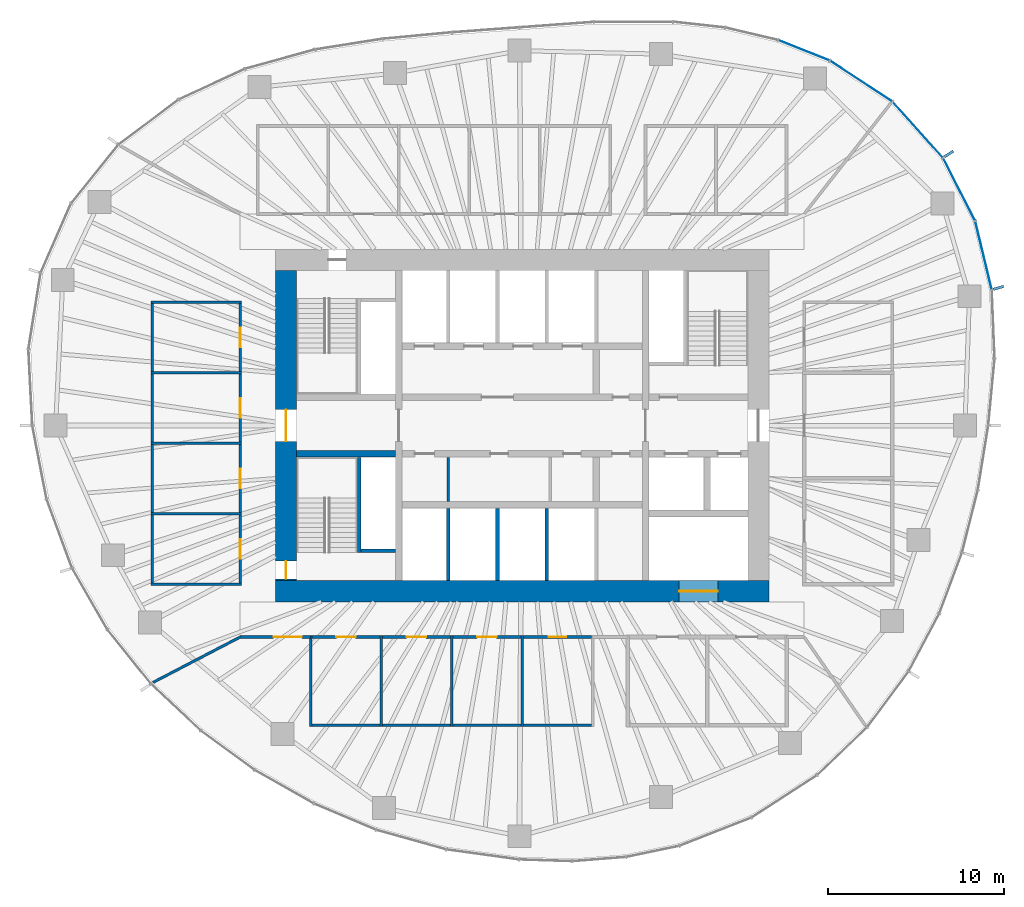
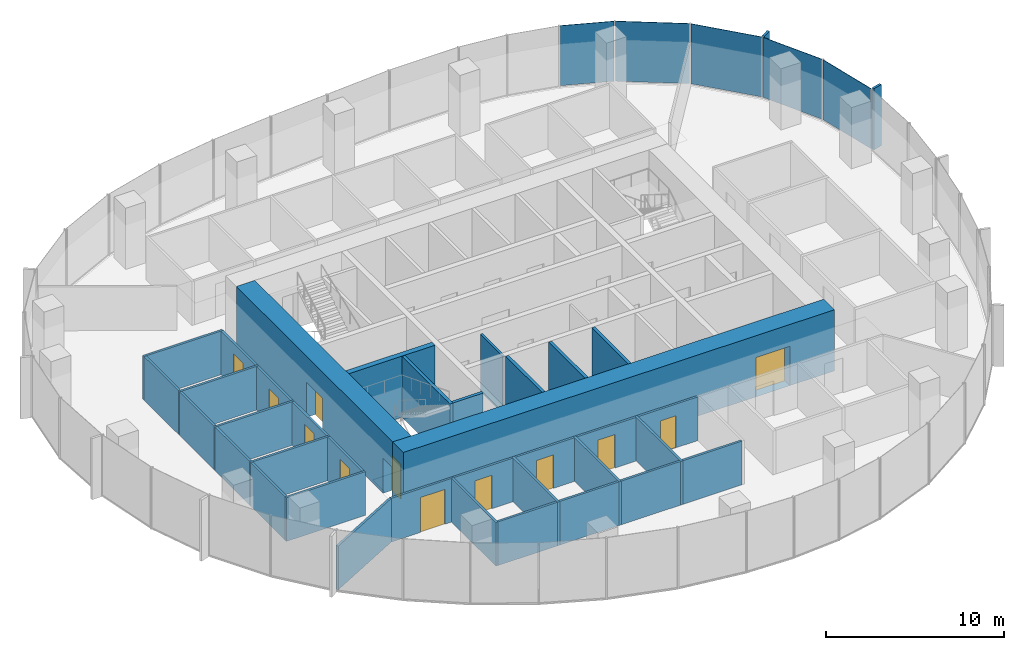
# One storey, part 8 of 12: 36 walls, 12 doors, 7 plates, 12 openings, 3 elements without a shape of their own.
"""IFC4 building model written with IfcOpenShell, lengths in metres."""

from ifc_helpers import new_model, si_unit, direction, frame, frame_2d, origin, origin_2d, place, context, subcontext, project, spatial, rectangle, extrude, material, layer, layer_set, type_object, element, fill, aggregate, save


model = new_model("IFC4")

# Units and contexts
model_context = context("Model", 3, precision=1e-05, world=origin(), true_north=direction((0.0, 1.0)))
body_context = subcontext(model_context, "Body", "Model", "MODEL_VIEW")
ifc_project = project(units=[si_unit("LENGTHUNIT", "METRE"), si_unit("AREAUNIT", "SQUARE_METRE"), si_unit("VOLUMEUNIT", "CUBIC_METRE"), si_unit("PLANEANGLEUNIT", "RADIAN"), si_unit("MASSUNIT", "GRAM", prefix="KILO")], contexts=[model_context])

# Site, building, storey
site_placement = place(None, origin())
site = spatial("IfcSite", under=ifc_project, at=site_placement, CompositionType="ELEMENT")
building_placement = place(site_placement, origin())
building = spatial("IfcBuilding", under=site, at=building_placement, Name="Ghaith Harvest Tower", CompositionType="ELEMENT")
storey_placement = place(building_placement, frame((0.0, 0.0, 207.39990234375)))
storey = spatial("IfcBuildingStorey", under=building, at=storey_placement, Name="L45", CompositionType="ELEMENT", Elevation=207.39990234375)

# Curtain wall, plates
ifc_material_1 = material(Name="Black anodised aluminium and fritted glass", Category="aluminium")
curtain_wall_type = type_object("IfcCurtainWallType", Name="CW-H CURTAIN WALL", PredefinedType="NOTDEFINED", material=ifc_material_1)
curtain_wall_1_placement = place(storey_placement, origin())
curtain_wall_1 = element("IfcCurtainWall", 1, at=curtain_wall_1_placement, inside=storey, type_object=curtain_wall_type, Name="Curtain wall CW-H bay 02 L45", PredefinedType="NOTDEFINED")
ifc_material_2 = material(Name="Glass, dark solar-control fritted double glazed unit", Category="glass")
ifc_layer_1 = layer(ifc_material_2, 0.030029296875)
ifc_layer_set_1 = layer_set([ifc_layer_1], Name="CW-H VISION PANEL")
plate_type_1 = type_object("IfcPlateType", Name="CW-H VISION PANEL", PredefinedType="CURTAIN_PANEL", material=ifc_layer_set_1)
plate_1_placement = place(storey_placement, frame((26.1767578125, 9.6533203125, 0.080078125), z_axis=(0.0, 0.0, 1.0), x_axis=(-0.233894000303, 0.972262102842, 0.0)))
plate_1 = element("IfcPlate", 2, at=plate_1_placement, type_object=plate_type_1, Name="CW-H glass unit 1 bay 02 L45", PredefinedType="CURTAIN_PANEL", context=body_context, shape_type="SweptSolid", body=[
    extrude(rectangle(XDim=3.935546875, YDim=0.030029296875, at=origin_2d()), origin(), (0.0, 0.0, 1.0), 4.1201171875),
])
plate_2_placement = place(storey_placement, frame((24.790771484375, 13.399658203125, 0.080078125), z_axis=(0.0, 0.0, 1.0), x_axis=(-0.454915320985, 0.890534699342, 0.0)))
plate_2 = element("IfcPlate", 3, at=plate_2_placement, type_object=plate_type_1, Name="CW-H glass unit 2 bay 02 L45", PredefinedType="CURTAIN_PANEL", context=body_context, shape_type="SweptSolid", body=[
    extrude(rectangle(XDim=3.949462890625, YDim=0.030029296875, at=origin_2d()), origin(), (0.0, 0.0, 1.0), 4.1201171875),
])
aggregate(curtain_wall_1, [plate_1, plate_2])

curtain_wall_2_placement = place(storey_placement, origin())
curtain_wall_2 = element("IfcCurtainWall", 4, at=curtain_wall_2_placement, inside=storey, type_object=curtain_wall_type, Name="Curtain wall CW-H bay 03 L45", PredefinedType="NOTDEFINED")
plate_3_placement = place(storey_placement, frame((22.44384765625, 16.783935546875, 0.080078125), z_axis=(0.0, 0.0, 1.0), x_axis=(-0.668757736889, 0.743480389352, 0.0)))
plate_3 = element("IfcPlate", 5, at=plate_3_placement, type_object=plate_type_1, Name="CW-H glass unit 1 bay 03 L45", PredefinedType="CURTAIN_PANEL", context=body_context, shape_type="SweptSolid", body=[
    extrude(rectangle(XDim=4.19775390625, YDim=0.030029296875, at=origin_2d()), origin(), (0.0, 0.0, 1.0), 4.1201171875),
])
plate_4_placement = place(storey_placement, frame((19.236328125, 19.539306640625, 0.080078125), z_axis=(0.0, 0.0, 1.0), x_axis=(-0.836276741583, 0.548307588392, 0.0)))
plate_4 = element("IfcPlate", 6, at=plate_4_placement, type_object=plate_type_1, Name="CW-H glass unit 2 bay 03 L45", PredefinedType="CURTAIN_PANEL", context=body_context, shape_type="SweptSolid", body=[
    extrude(rectangle(XDim=4.169677734375, YDim=0.030029296875, at=origin_2d()), origin(), (0.0, 0.0, 1.0), 4.1201171875),
])
aggregate(curtain_wall_2, [plate_3, plate_4])

# Curtain wall, plate
curtain_wall_3_placement = place(storey_placement, origin())
curtain_wall_3 = element("IfcCurtainWall", 7, at=curtain_wall_3_placement, inside=storey, type_object=curtain_wall_type, Name="Curtain wall CW-H bay 04 L45", PredefinedType="NOTDEFINED")
plate_5_placement = place(storey_placement, frame((15.993408203125, 21.287841796875, 0.080078125), z_axis=(0.0, 0.0, 1.0), x_axis=(-0.929107322045, 0.369810200133, 0.0)))
plate_5 = element("IfcPlate", 8, at=plate_5_placement, type_object=plate_type_1, Name="CW-H glass unit 1 bay 04 L45", PredefinedType="CURTAIN_PANEL", context=body_context, shape_type="SweptSolid", body=[
    extrude(rectangle(XDim=3.075927734375, YDim=0.030029296875, at=origin_2d()), origin(), (0.0, 0.0, 1.0), 4.1201171875),
])
aggregate(curtain_wall_3, [plate_5])

# Plates
ifc_material_3 = material(Name="Glassfibre-reinforced concrete", Category="concrete")
ifc_layer_2 = layer(ifc_material_3, 0.14990234375)
ifc_layer_set_2 = layer_set([ifc_layer_2], Name="SUN-BREAKER FIN 600x150")
plate_type_2 = type_object("IfcPlateType", Name="SUN-BREAKER FIN 600x150", PredefinedType="USERDEFINED", material=ifc_layer_set_2)
for number, where, z_axis, x_axis, name in (
    (9, (27.03076171875, 7.8125, 0.0), (0.0, 0.0, 1.0), (0.960680349985, 0.277656739792, 0.0), "Sun-breaker fin CW-H 1 bay 02 L45"),
    (10, (24.211669921875, 15.408447265625, 0.0), (0.0, 0.0, 1.0), (0.843643971464, 0.536903016766, 0.0), "Sun-breaker fin CW-H 1 bay 03 L45"),
):
    element("IfcPlate", number, at=place(storey_placement, frame(where, z_axis=z_axis, x_axis=x_axis)), inside=storey, type_object=plate_type_2, Name=name, ObjectType="SUN-BREAKER FIN", PredefinedType="USERDEFINED", context=body_context, shape_type="SweptSolid", body=[
        extrude(rectangle(XDim=0.60009765625, YDim=0.14990234375, at=origin_2d()), origin(), (0.0, 0.0, 1.0), 4.199951171875),
    ])

# Wall
ifc_material_4 = material(Name="Concrete blockwork, fair-faced", Category="masonry")
ifc_layer_3 = layer(ifc_material_4, 0.139892578125)
ifc_layer_set_3 = layer_set([ifc_layer_3], Name="CORE PARTITION 140")
wall_type_1 = type_object("IfcWallType", Name="CORE PARTITION 140", PredefinedType="PARTITIONING", material=ifc_layer_set_3)
wall_1_placement = place(storey_placement, frame((-4.199951171875, -1.800048828125, 0.0), z_axis=(0.0, 0.0, 1.0), x_axis=(0.0, -1.0, 0.0)))
element("IfcWall", 11, at=wall_1_placement, inside=storey, type_object=wall_type_1, Name="Core partition L45", PredefinedType="PARTITIONING", context=body_context, shape_type="SweptSolid", body=[
    extrude(rectangle(XDim=2.5, YDim=0.139892578125, at=frame_2d((1.25, 0.0))), origin(), (0.0, 0.0, 1.0), 3.9501953125),
])

# Wall, opening, door
ifc_material_5 = material(Name="Concrete C60/75", Category="concrete")
ifc_layer_4 = layer(ifc_material_5, 1.199951171875)
ifc_layer_set_4 = layer_set([ifc_layer_4], Name="CORE WALL CW1200 C60")
wall_type_2 = type_object("IfcWallType", Name="CORE WALL CW1200 C60", PredefinedType="SHEAR", material=ifc_layer_set_4)
wall_2_placement = place(storey_placement, frame((-14.0, -9.39990234375, 0.0), z_axis=(0.0, 0.0, 1.0), x_axis=(1.0, 0.0, 0.0)))
wall_2 = element("IfcWall", 12, at=wall_2_placement, inside=storey, type_object=wall_type_2, Name="Core wall S L45", PredefinedType="SHEAR", context=body_context, shape_type="SweptSolid", body=[
    extrude(rectangle(XDim=28.0, YDim=1.199951171875, at=frame_2d((14.0, 0.0))), origin(), (0.0, 0.0, 1.0), 4.2001953125),
])
opening_1_placement = place(wall_2_placement, frame((22.89990234375, 0.0, 0.0)))
opening_1 = element("IfcOpeningElement", 13, at=opening_1_placement, cuts=wall_2, Name="Opening 45-020", PredefinedType="OPENING", context=body_context, shape_type="SweptSolid", body=[
    extrude(rectangle(XDim=2.199951171875, YDim=2.699951171875, at=frame_2d((1.10009765625, 1.35009765625))), frame((0.0, 0.60986328125, 0.0), z_axis=(0.0, -1.0, 0.0), x_axis=(1.0, 0.0, 0.0)), (0.0, 0.0, 1.0), 1.219970703125),
])
ifc_material_6 = material(Name="Steel fire door", Category="steel")
door_type_1 = type_object("IfcDoorType", Name="LD3 LANDING 2200x2700", OperationType="DOUBLE_DOOR_SLIDING", PredefinedType="DOOR", material=ifc_material_6)
door_1_placement = place(opening_1_placement, origin())
door_1 = element("IfcDoor", 14, at=door_1_placement, inside=storey, type_object=door_type_1, Name="Landing door, goods lift GL1", OperationType="DOUBLE_DOOR_SLIDING", OverallHeight=2.699951171875, OverallWidth=2.199951171875, PredefinedType="DOOR", context=body_context, shape_type="SweptSolid", body=[
    extrude(rectangle(XDim=2.199951171875, YDim=2.699951171875, at=frame_2d((1.10009765625, 1.35009765625))), frame((0.0, 0.02490234375, 0.0), z_axis=(0.0, -1.0, 0.0), x_axis=(1.0, 0.0, 0.0)), (0.0, 0.0, 1.0), 0.050048828125),
])
fill(opening_1, door_1)

# Wall, openings, doors
wall_3_placement = place(storey_placement, frame((-13.39990234375, 8.800048828125, 0.0), z_axis=(0.0, 0.0, 1.0), x_axis=(0.0, -1.0, 0.0)))
wall_3 = element("IfcWall", 15, at=wall_3_placement, inside=storey, type_object=wall_type_2, Name="Core wall W L45", PredefinedType="SHEAR", context=body_context, shape_type="SweptSolid", body=[
    extrude(rectangle(XDim=17.60009765625, YDim=1.199951171875, at=frame_2d((8.800048828125, 0.0))), origin(), (0.0, 0.0, 1.0), 4.2001953125),
])
opening_2_placement = place(wall_3_placement, frame((7.89990234375, 0.0, 0.0)))
opening_2 = element("IfcOpeningElement", 16, at=opening_2_placement, cuts=wall_3, Name="Opening 45-001", PredefinedType="OPENING", context=body_context, shape_type="SweptSolid", body=[
    extrude(rectangle(XDim=1.800048828125, YDim=2.39990234375, at=frame_2d((0.89990234375, 1.199951171875))), frame((0.0, 0.60986328125, 0.0), z_axis=(0.0, -1.0, 0.0), x_axis=(1.0, 0.0, 0.0)), (0.0, 0.0, 1.0), 1.219970703125),
])
opening_3_placement = place(wall_3_placement, frame((16.5, 0.0, 0.0)))
opening_3 = element("IfcOpeningElement", 17, at=opening_3_placement, cuts=wall_3, Name="Opening 45-006", PredefinedType="OPENING", context=body_context, shape_type="SweptSolid", body=[
    extrude(rectangle(XDim=1.0, YDim=2.39990234375, at=frame_2d((0.5, 1.199951171875))), frame((0.0, 0.60986328125, 0.0), z_axis=(0.0, -1.0, 0.0), x_axis=(1.0, 0.0, 0.0)), (0.0, 0.0, 1.0), 1.219970703125),
])
ifc_material_7 = material(Name="Steel fire door", Category="steel")
door_type_2 = type_object("IfcDoorType", Name="D3 FD90 1000x2400", OperationType="SINGLE_SWING_LEFT", PredefinedType="DOOR", material=ifc_material_7)
door_2_placement = place(opening_3_placement, origin())
door_2 = element("IfcDoor", 18, at=door_2_placement, inside=storey, type_object=door_type_2, Name="Stair ST3 door", OperationType="SINGLE_SWING_RIGHT", OverallHeight=2.39990234375, OverallWidth=1.0, PredefinedType="DOOR", context=body_context, shape_type="SweptSolid", body=[
    extrude(rectangle(XDim=1.0, YDim=2.39990234375, at=frame_2d((0.5, 1.199951171875))), frame((0.0, 0.02490234375, 0.0), z_axis=(0.0, -1.0, 0.0), x_axis=(1.0, 0.0, 0.0)), (0.0, 0.0, 1.0), 0.050048828125),
])
fill(opening_3, door_2)
ifc_material_8 = material(Name="Steel fire door", Category="steel")
door_type_3 = type_object("IfcDoorType", Name="D4 FD90 PAIR 1800x2400", OperationType="DOUBLE_DOOR_SINGLE_SWING", PredefinedType="DOOR", material=ifc_material_8)
door_3_placement = place(opening_2_placement, origin())
door_3 = element("IfcDoor", 19, at=door_3_placement, inside=storey, type_object=door_type_3, Name="West lobby doors", OperationType="DOUBLE_DOOR_SINGLE_SWING", OverallHeight=2.39990234375, OverallWidth=1.800048828125, PredefinedType="DOOR", context=body_context, shape_type="SweptSolid", body=[
    extrude(rectangle(XDim=1.800048828125, YDim=2.39990234375, at=frame_2d((0.89990234375, 1.199951171875))), frame((0.0, 0.02490234375, 0.0), z_axis=(0.0, -1.0, 0.0), x_axis=(1.0, 0.0, 0.0)), (0.0, 0.0, 1.0), 0.050048828125),
])
fill(opening_2, door_3)

# Walls
ifc_material_9 = material(Name="Concrete blockwork, 2-hour", Category="masonry")
ifc_layer_5 = layer(ifc_material_9, 0.199951171875)
ifc_layer_set_5 = layer_set([ifc_layer_5], Name="LIFT SHAFT WALL 200")
wall_type_3 = type_object("IfcWallType", Name="LIFT SHAFT WALL 200", PredefinedType="PARTITIONING", material=ifc_layer_set_5)
for number, where, z_axis, x_axis, name in (
    (20, (-4.199951171875, -4.699951171875, 0.0), (0.0, 0.0, 1.0), (0.0, -1.0, 0.0), "Lift shaft wall L45"),
    (21, (-1.39990234375, -4.699951171875, 0.0), (0.0, 0.0, 1.0), (0.0, -1.0, 0.0), "Lift shaft wall L45"),
    (22, (1.39990234375, -4.699951171875, 0.0), (0.0, 0.0, 1.0), (0.0, -1.0, 0.0), "Lift shaft wall L45"),
):
    element("IfcWall", number, at=place(storey_placement, frame(where, z_axis=z_axis, x_axis=x_axis)), inside=storey, type_object=wall_type_3, Name=name, PredefinedType="PARTITIONING", context=body_context, shape_type="SweptSolid", body=[
        extrude(rectangle(XDim=4.10009765625, YDim=0.199951171875, at=frame_2d((2.050048828125, 0.0))), origin(), (0.0, 0.0, 1.0), 4.2001953125),
    ])
ifc_material_10 = material(Name="Gypsum board on steel studs", Category="steel")
ifc_layer_6 = layer(ifc_material_10, 0.14990234375)
ifc_layer_set_6 = layer_set([ifc_layer_6], Name="PARTITION 150")
wall_type_4 = type_object("IfcWallType", Name="PARTITION 150", PredefinedType="PARTITIONING", material=ifc_layer_set_6)
for number, where, z_axis, x_axis, name in (
    (23, (-12.0, -11.925048828125, 0.0), (0.0, 0.0, 1.0), (0.0, -1.0, 0.0), "Partition L45 row S4 cross wall 1"),
    (24, (-8.0, -11.925048828125, 0.0), (0.0, 0.0, 1.0), (0.0, -1.0, 0.0), "Partition L45 row S4 cross wall 2"),
    (25, (-4.0, -11.925048828125, 0.0), (0.0, 0.0, 1.0), (0.0, -1.0, 0.0), "Partition L45 row S4 cross wall 3"),
    (26, (0.0, -11.925048828125, 0.0), (0.0, 0.0, 1.0), (0.0, -1.0, 0.0), "Partition L45 row S4 cross wall 4"),
):
    element("IfcWall", number, at=place(storey_placement, frame(where, z_axis=z_axis, x_axis=x_axis)), inside=storey, type_object=wall_type_4, Name=name, PredefinedType="PARTITIONING", context=body_context, shape_type="SweptSolid", body=[
        extrude(rectangle(XDim=5.14990234375, YDim=0.14990234375, at=frame_2d((2.574951171875, 0.0))), origin(), (0.0, 0.0, 1.0), 3.0),
    ])

# Wall, opening, door
wall_4_placement = place(storey_placement, frame((-11.925048828125, -12.0, 0.0), z_axis=(0.0, 0.0, 1.0), x_axis=(1.0, 0.0, 0.0)))
wall_4 = element("IfcWall", 27, at=wall_4_placement, inside=storey, type_object=wall_type_4, Name="Partition L45-11", PredefinedType="PARTITIONING", context=body_context, shape_type="SweptSolid", body=[
    extrude(rectangle(XDim=3.85009765625, YDim=0.14990234375, at=frame_2d((1.925048828125, 0.0))), origin(), (0.0, 0.0, 1.0), 3.0),
])
opening_4_placement = place(wall_4_placement, frame((1.375, 0.0, 0.0)))
opening_4 = element("IfcOpeningElement", 28, at=opening_4_placement, cuts=wall_4, Name="Opening 45-031", PredefinedType="OPENING", context=body_context, shape_type="SweptSolid", body=[
    extrude(rectangle(XDim=1.10009765625, YDim=2.300048828125, at=frame_2d((0.550048828125, 1.14990234375))), frame((0.0, 0.0849609375, 0.0), z_axis=(0.0, -1.0, 0.0), x_axis=(1.0, 0.0, 0.0)), (0.0, 0.0, 1.0), 0.169921875),
])
ifc_material_11 = material(Name="Timber-framed glazed door", Category="wood")
door_type_4 = type_object("IfcDoorType", Name="D12 GLAZED OFFICE 1100x2300", OperationType="SINGLE_SWING_LEFT", PredefinedType="DOOR", material=ifc_material_11)
door_4_placement = place(opening_4_placement, origin())
door_4 = element("IfcDoor", 29, at=door_4_placement, inside=storey, type_object=door_type_4, Name="Office door", OperationType="SINGLE_SWING_LEFT", OverallHeight=2.300048828125, OverallWidth=1.10009765625, PredefinedType="DOOR", context=body_context, shape_type="SweptSolid", body=[
    extrude(rectangle(XDim=1.10009765625, YDim=2.300048828125, at=frame_2d((0.550048828125, 1.14990234375))), frame((0.0, 0.02490234375, 0.0), z_axis=(0.0, -1.0, 0.0), x_axis=(1.0, 0.0, 0.0)), (0.0, 0.0, 1.0), 0.050048828125),
])
fill(opening_4, door_4)

# Wall
wall_5_placement = place(storey_placement, frame((-11.925048828125, -17.0, 0.0), z_axis=(0.0, 0.0, 1.0), x_axis=(1.0, 0.0, 0.0)))
element("IfcWall", 30, at=wall_5_placement, inside=storey, type_object=wall_type_4, Name="Partition L45-11", PredefinedType="PARTITIONING", context=body_context, shape_type="SweptSolid", body=[
    extrude(rectangle(XDim=3.85009765625, YDim=0.14990234375, at=frame_2d((1.925048828125, 0.0))), origin(), (0.0, 0.0, 1.0), 3.0),
])

# Wall, opening, door
wall_6_placement = place(storey_placement, frame((-7.925048828125, -12.0, 0.0), z_axis=(0.0, 0.0, 1.0), x_axis=(1.0, 0.0, 0.0)))
wall_6 = element("IfcWall", 31, at=wall_6_placement, inside=storey, type_object=wall_type_4, Name="Partition L45-12", PredefinedType="PARTITIONING", context=body_context, shape_type="SweptSolid", body=[
    extrude(rectangle(XDim=3.85009765625, YDim=0.14990234375, at=frame_2d((1.925048828125, 0.0))), origin(), (0.0, 0.0, 1.0), 3.0),
])
opening_5_placement = place(wall_6_placement, frame((1.375, 0.0, 0.0)))
opening_5 = element("IfcOpeningElement", 32, at=opening_5_placement, cuts=wall_6, Name="Opening 45-032", PredefinedType="OPENING", context=body_context, shape_type="SweptSolid", body=[
    extrude(rectangle(XDim=1.10009765625, YDim=2.300048828125, at=frame_2d((0.550048828125, 1.14990234375))), frame((0.0, 0.0849609375, 0.0), z_axis=(0.0, -1.0, 0.0), x_axis=(1.0, 0.0, 0.0)), (0.0, 0.0, 1.0), 0.169921875),
])
door_5_placement = place(opening_5_placement, origin())
door_5 = element("IfcDoor", 33, at=door_5_placement, inside=storey, type_object=door_type_4, Name="Office door", OperationType="SINGLE_SWING_LEFT", OverallHeight=2.300048828125, OverallWidth=1.10009765625, PredefinedType="DOOR", context=body_context, shape_type="SweptSolid", body=[
    extrude(rectangle(XDim=1.10009765625, YDim=2.300048828125, at=frame_2d((0.550048828125, 1.14990234375))), frame((0.0, 0.02490234375, 0.0), z_axis=(0.0, -1.0, 0.0), x_axis=(1.0, 0.0, 0.0)), (0.0, 0.0, 1.0), 0.050048828125),
])
fill(opening_5, door_5)

# Wall
wall_7_placement = place(storey_placement, frame((-7.925048828125, -17.0, 0.0), z_axis=(0.0, 0.0, 1.0), x_axis=(1.0, 0.0, 0.0)))
element("IfcWall", 34, at=wall_7_placement, inside=storey, type_object=wall_type_4, Name="Partition L45-12", PredefinedType="PARTITIONING", context=body_context, shape_type="SweptSolid", body=[
    extrude(rectangle(XDim=3.85009765625, YDim=0.14990234375, at=frame_2d((1.925048828125, 0.0))), origin(), (0.0, 0.0, 1.0), 3.0),
])

# Wall, opening, door
wall_8_placement = place(storey_placement, frame((-3.925048828125, -12.0, 0.0), z_axis=(0.0, 0.0, 1.0), x_axis=(1.0, 0.0, 0.0)))
wall_8 = element("IfcWall", 35, at=wall_8_placement, inside=storey, type_object=wall_type_4, Name="Partition L45-13", PredefinedType="PARTITIONING", context=body_context, shape_type="SweptSolid", body=[
    extrude(rectangle(XDim=3.85009765625, YDim=0.14990234375, at=frame_2d((1.925048828125, 0.0))), origin(), (0.0, 0.0, 1.0), 3.0),
])
opening_6_placement = place(wall_8_placement, frame((1.375, 0.0, 0.0)))
opening_6 = element("IfcOpeningElement", 36, at=opening_6_placement, cuts=wall_8, Name="Opening 45-033", PredefinedType="OPENING", context=body_context, shape_type="SweptSolid", body=[
    extrude(rectangle(XDim=1.10009765625, YDim=2.300048828125, at=frame_2d((0.550048828125, 1.14990234375))), frame((0.0, 0.0849609375, 0.0), z_axis=(0.0, -1.0, 0.0), x_axis=(1.0, 0.0, 0.0)), (0.0, 0.0, 1.0), 0.169921875),
])
door_6_placement = place(opening_6_placement, origin())
door_6 = element("IfcDoor", 37, at=door_6_placement, inside=storey, type_object=door_type_4, Name="Office door", OperationType="SINGLE_SWING_LEFT", OverallHeight=2.300048828125, OverallWidth=1.10009765625, PredefinedType="DOOR", context=body_context, shape_type="SweptSolid", body=[
    extrude(rectangle(XDim=1.10009765625, YDim=2.300048828125, at=frame_2d((0.550048828125, 1.14990234375))), frame((0.0, 0.02490234375, 0.0), z_axis=(0.0, -1.0, 0.0), x_axis=(1.0, 0.0, 0.0)), (0.0, 0.0, 1.0), 0.050048828125),
])
fill(opening_6, door_6)

# Wall
wall_9_placement = place(storey_placement, frame((-3.925048828125, -17.0, 0.0), z_axis=(0.0, 0.0, 1.0), x_axis=(1.0, 0.0, 0.0)))
element("IfcWall", 38, at=wall_9_placement, inside=storey, type_object=wall_type_4, Name="Partition L45-13", PredefinedType="PARTITIONING", context=body_context, shape_type="SweptSolid", body=[
    extrude(rectangle(XDim=3.85009765625, YDim=0.14990234375, at=frame_2d((1.925048828125, 0.0))), origin(), (0.0, 0.0, 1.0), 3.0),
])

# Wall, opening, door
wall_10_placement = place(storey_placement, frame((0.074951171875, -12.0, 0.0), z_axis=(0.0, 0.0, 1.0), x_axis=(1.0, 0.0, 0.0)))
wall_10 = element("IfcWall", 39, at=wall_10_placement, inside=storey, type_object=wall_type_4, Name="Partition L45-14", PredefinedType="PARTITIONING", context=body_context, shape_type="SweptSolid", body=[
    extrude(rectangle(XDim=3.85009765625, YDim=0.14990234375, at=frame_2d((1.925048828125, 0.0))), origin(), (0.0, 0.0, 1.0), 3.0),
])
opening_7_placement = place(wall_10_placement, frame((1.425048828125, 0.0, 0.0)))
opening_7 = element("IfcOpeningElement", 40, at=opening_7_placement, cuts=wall_10, Name="Opening 45-034", PredefinedType="OPENING", context=body_context, shape_type="SweptSolid", body=[
    extrude(rectangle(XDim=1.0, YDim=2.199951171875, at=frame_2d((0.5, 1.10009765625))), frame((0.0, 0.0849609375, 0.0), z_axis=(0.0, -1.0, 0.0), x_axis=(1.0, 0.0, 0.0)), (0.0, 0.0, 1.0), 0.169921875),
])
ifc_material_12 = material(Name="Timber door", Category="wood")
door_type_5 = type_object("IfcDoorType", Name="D1 SINGLE 1000x2200", OperationType="SINGLE_SWING_LEFT", PredefinedType="DOOR", material=ifc_material_12)
door_7_placement = place(opening_7_placement, origin())
door_7 = element("IfcDoor", 41, at=door_7_placement, inside=storey, type_object=door_type_5, Name="Print room door", OperationType="SINGLE_SWING_LEFT", OverallHeight=2.199951171875, OverallWidth=1.0, PredefinedType="DOOR", context=body_context, shape_type="SweptSolid", body=[
    extrude(rectangle(XDim=1.0, YDim=2.199951171875, at=frame_2d((0.5, 1.10009765625))), frame((0.0, 0.02490234375, 0.0), z_axis=(0.0, -1.0, 0.0), x_axis=(1.0, 0.0, 0.0)), (0.0, 0.0, 1.0), 0.050048828125),
])
fill(opening_7, door_7)

# Walls
wall_11_placement = place(storey_placement, frame((0.074951171875, -17.0, 0.0), z_axis=(0.0, 0.0, 1.0), x_axis=(1.0, 0.0, 0.0)))
element("IfcWall", 42, at=wall_11_placement, inside=storey, type_object=wall_type_4, Name="Partition L45-14", PredefinedType="PARTITIONING", context=body_context, shape_type="SweptSolid", body=[
    extrude(rectangle(XDim=3.85009765625, YDim=0.14990234375, at=frame_2d((1.925048828125, 0.0))), origin(), (0.0, 0.0, 1.0), 3.0),
])
for number, where, z_axis, x_axis, name in (
    (43, (-15.925048828125, -9.0, 0.0), (0.0, 0.0, 1.0), (-1.0, 0.0, 0.0), "Partition L45 row W6 cross wall 1"),
    (44, (-15.925048828125, -5.0, 0.0), (0.0, 0.0, 1.0), (-1.0, 0.0, 0.0), "Partition L45 row W6 cross wall 2"),
    (45, (-15.925048828125, -1.0, 0.0), (0.0, 0.0, 1.0), (-1.0, 0.0, 0.0), "Partition L45 row W6 cross wall 3"),
    (46, (-15.925048828125, 3.0, 0.0), (0.0, 0.0, 1.0), (-1.0, 0.0, 0.0), "Partition L45 row W6 cross wall 4"),
    (47, (-15.925048828125, 7.0, 0.0), (0.0, 0.0, 1.0), (-1.0, 0.0, 0.0), "Partition L45 row W6 cross wall 5"),
):
    element("IfcWall", number, at=place(storey_placement, frame(where, z_axis=z_axis, x_axis=x_axis)), inside=storey, type_object=wall_type_4, Name=name, PredefinedType="PARTITIONING", context=body_context, shape_type="SweptSolid", body=[
        extrude(rectangle(XDim=5.14990234375, YDim=0.14990234375, at=frame_2d((2.574951171875, 0.0))), origin(), (0.0, 0.0, 1.0), 3.0),
    ])

# Wall, opening, door
wall_12_placement = place(storey_placement, frame((-16.0, -8.925048828125, 0.0), z_axis=(0.0, 0.0, 1.0), x_axis=(0.0, 1.0, 0.0)))
wall_12 = element("IfcWall", 48, at=wall_12_placement, inside=storey, type_object=wall_type_4, Name="Partition L45-17", PredefinedType="PARTITIONING", context=body_context, shape_type="SweptSolid", body=[
    extrude(rectangle(XDim=3.85009765625, YDim=0.14990234375, at=frame_2d((1.925048828125, 0.0))), origin(), (0.0, 0.0, 1.0), 3.0),
])
opening_8_placement = place(wall_12_placement, frame((1.375, 0.0, 0.0)))
opening_8 = element("IfcOpeningElement", 49, at=opening_8_placement, cuts=wall_12, Name="Opening 45-037", PredefinedType="OPENING", context=body_context, shape_type="SweptSolid", body=[
    extrude(rectangle(XDim=1.10009765625, YDim=2.300048828125, at=frame_2d((0.550048828125, 1.14990234375))), frame((0.0, 0.0849609375, 0.0), z_axis=(0.0, -1.0, 0.0), x_axis=(1.0, 0.0, 0.0)), (0.0, 0.0, 1.0), 0.169921875),
])
door_8_placement = place(opening_8_placement, origin())
door_8 = element("IfcDoor", 50, at=door_8_placement, inside=storey, type_object=door_type_4, Name="Office door", OperationType="SINGLE_SWING_LEFT", OverallHeight=2.300048828125, OverallWidth=1.10009765625, PredefinedType="DOOR", context=body_context, shape_type="SweptSolid", body=[
    extrude(rectangle(XDim=1.10009765625, YDim=2.300048828125, at=frame_2d((0.550048828125, 1.14990234375))), frame((0.0, 0.02490234375, 0.0), z_axis=(0.0, -1.0, 0.0), x_axis=(1.0, 0.0, 0.0)), (0.0, 0.0, 1.0), 0.050048828125),
])
fill(opening_8, door_8)

# Wall
wall_13_placement = place(storey_placement, frame((-21.0, -8.925048828125, 0.0), z_axis=(0.0, 0.0, 1.0), x_axis=(0.0, 1.0, 0.0)))
element("IfcWall", 51, at=wall_13_placement, inside=storey, type_object=wall_type_4, Name="Partition L45-17", PredefinedType="PARTITIONING", context=body_context, shape_type="SweptSolid", body=[
    extrude(rectangle(XDim=3.85009765625, YDim=0.14990234375, at=frame_2d((1.925048828125, 0.0))), origin(), (0.0, 0.0, 1.0), 3.0),
])

# Wall, opening, door
wall_14_placement = place(storey_placement, frame((-16.0, -4.925048828125, 0.0), z_axis=(0.0, 0.0, 1.0), x_axis=(0.0, 1.0, 0.0)))
wall_14 = element("IfcWall", 52, at=wall_14_placement, inside=storey, type_object=wall_type_4, Name="Partition L45-18", PredefinedType="PARTITIONING", context=body_context, shape_type="SweptSolid", body=[
    extrude(rectangle(XDim=3.85009765625, YDim=0.14990234375, at=frame_2d((1.925048828125, 0.0))), origin(), (0.0, 0.0, 1.0), 3.0),
])
opening_9_placement = place(wall_14_placement, frame((1.375, 0.0, 0.0)))
opening_9 = element("IfcOpeningElement", 53, at=opening_9_placement, cuts=wall_14, Name="Opening 45-038", PredefinedType="OPENING", context=body_context, shape_type="SweptSolid", body=[
    extrude(rectangle(XDim=1.10009765625, YDim=2.300048828125, at=frame_2d((0.550048828125, 1.14990234375))), frame((0.0, 0.0849609375, 0.0), z_axis=(0.0, -1.0, 0.0), x_axis=(1.0, 0.0, 0.0)), (0.0, 0.0, 1.0), 0.169921875),
])
door_9_placement = place(opening_9_placement, origin())
door_9 = element("IfcDoor", 54, at=door_9_placement, inside=storey, type_object=door_type_4, Name="Office door", OperationType="SINGLE_SWING_LEFT", OverallHeight=2.300048828125, OverallWidth=1.10009765625, PredefinedType="DOOR", context=body_context, shape_type="SweptSolid", body=[
    extrude(rectangle(XDim=1.10009765625, YDim=2.300048828125, at=frame_2d((0.550048828125, 1.14990234375))), frame((0.0, 0.02490234375, 0.0), z_axis=(0.0, -1.0, 0.0), x_axis=(1.0, 0.0, 0.0)), (0.0, 0.0, 1.0), 0.050048828125),
])
fill(opening_9, door_9)

# Wall
wall_15_placement = place(storey_placement, frame((-21.0, -4.925048828125, 0.0), z_axis=(0.0, 0.0, 1.0), x_axis=(0.0, 1.0, 0.0)))
element("IfcWall", 55, at=wall_15_placement, inside=storey, type_object=wall_type_4, Name="Partition L45-18", PredefinedType="PARTITIONING", context=body_context, shape_type="SweptSolid", body=[
    extrude(rectangle(XDim=3.85009765625, YDim=0.14990234375, at=frame_2d((1.925048828125, 0.0))), origin(), (0.0, 0.0, 1.0), 3.0),
])

# Wall, opening, door
wall_16_placement = place(storey_placement, frame((-16.0, -0.925048828125, 0.0), z_axis=(0.0, 0.0, 1.0), x_axis=(0.0, 1.0, 0.0)))
wall_16 = element("IfcWall", 56, at=wall_16_placement, inside=storey, type_object=wall_type_4, Name="Partition L45-19", PredefinedType="PARTITIONING", context=body_context, shape_type="SweptSolid", body=[
    extrude(rectangle(XDim=3.85009765625, YDim=0.14990234375, at=frame_2d((1.925048828125, 0.0))), origin(), (0.0, 0.0, 1.0), 3.0),
])
opening_10_placement = place(wall_16_placement, frame((1.375, 0.0, 0.0)))
opening_10 = element("IfcOpeningElement", 57, at=opening_10_placement, cuts=wall_16, Name="Opening 45-039", PredefinedType="OPENING", context=body_context, shape_type="SweptSolid", body=[
    extrude(rectangle(XDim=1.10009765625, YDim=2.300048828125, at=frame_2d((0.550048828125, 1.14990234375))), frame((0.0, 0.0849609375, 0.0), z_axis=(0.0, -1.0, 0.0), x_axis=(1.0, 0.0, 0.0)), (0.0, 0.0, 1.0), 0.169921875),
])
door_10_placement = place(opening_10_placement, origin())
door_10 = element("IfcDoor", 58, at=door_10_placement, inside=storey, type_object=door_type_4, Name="Office door", OperationType="SINGLE_SWING_LEFT", OverallHeight=2.300048828125, OverallWidth=1.10009765625, PredefinedType="DOOR", context=body_context, shape_type="SweptSolid", body=[
    extrude(rectangle(XDim=1.10009765625, YDim=2.300048828125, at=frame_2d((0.550048828125, 1.14990234375))), frame((0.0, 0.02490234375, 0.0), z_axis=(0.0, -1.0, 0.0), x_axis=(1.0, 0.0, 0.0)), (0.0, 0.0, 1.0), 0.050048828125),
])
fill(opening_10, door_10)

# Wall
wall_17_placement = place(storey_placement, frame((-21.0, -0.925048828125, 0.0), z_axis=(0.0, 0.0, 1.0), x_axis=(0.0, 1.0, 0.0)))
element("IfcWall", 59, at=wall_17_placement, inside=storey, type_object=wall_type_4, Name="Partition L45-19", PredefinedType="PARTITIONING", context=body_context, shape_type="SweptSolid", body=[
    extrude(rectangle(XDim=3.85009765625, YDim=0.14990234375, at=frame_2d((1.925048828125, 0.0))), origin(), (0.0, 0.0, 1.0), 3.0),
])

# Wall, opening, door
wall_18_placement = place(storey_placement, frame((-16.0, 3.074951171875, 0.0), z_axis=(0.0, 0.0, 1.0), x_axis=(0.0, 1.0, 0.0)))
wall_18 = element("IfcWall", 60, at=wall_18_placement, inside=storey, type_object=wall_type_4, Name="Partition L45-20", PredefinedType="PARTITIONING", context=body_context, shape_type="SweptSolid", body=[
    extrude(rectangle(XDim=3.85009765625, YDim=0.14990234375, at=frame_2d((1.925048828125, 0.0))), origin(), (0.0, 0.0, 1.0), 3.0),
])
opening_11_placement = place(wall_18_placement, frame((1.375, 0.0, 0.0)))
opening_11 = element("IfcOpeningElement", 61, at=opening_11_placement, cuts=wall_18, Name="Opening 45-040", PredefinedType="OPENING", context=body_context, shape_type="SweptSolid", body=[
    extrude(rectangle(XDim=1.10009765625, YDim=2.300048828125, at=frame_2d((0.550048828125, 1.14990234375))), frame((0.0, 0.0849609375, 0.0), z_axis=(0.0, -1.0, 0.0), x_axis=(1.0, 0.0, 0.0)), (0.0, 0.0, 1.0), 0.169921875),
])
door_11_placement = place(opening_11_placement, origin())
door_11 = element("IfcDoor", 62, at=door_11_placement, inside=storey, type_object=door_type_4, Name="Office door", OperationType="SINGLE_SWING_LEFT", OverallHeight=2.300048828125, OverallWidth=1.10009765625, PredefinedType="DOOR", context=body_context, shape_type="SweptSolid", body=[
    extrude(rectangle(XDim=1.10009765625, YDim=2.300048828125, at=frame_2d((0.550048828125, 1.14990234375))), frame((0.0, 0.02490234375, 0.0), z_axis=(0.0, -1.0, 0.0), x_axis=(1.0, 0.0, 0.0)), (0.0, 0.0, 1.0), 0.050048828125),
])
fill(opening_11, door_11)

# Walls
wall_19_placement = place(storey_placement, frame((-21.0, 3.074951171875, 0.0), z_axis=(0.0, 0.0, 1.0), x_axis=(0.0, 1.0, 0.0)))
element("IfcWall", 63, at=wall_19_placement, inside=storey, type_object=wall_type_4, Name="Partition L45-20", PredefinedType="PARTITIONING", context=body_context, shape_type="SweptSolid", body=[
    extrude(rectangle(XDim=3.85009765625, YDim=0.14990234375, at=frame_2d((1.925048828125, 0.0))), origin(), (0.0, 0.0, 1.0), 3.0),
])
wall_20_placement = place(storey_placement, frame((-16.017578125, -12.00927734375, 0.0), z_axis=(0.0, 0.0, 1.0), x_axis=(-0.886831549241, -0.462092851351, 0.0)))
element("IfcWall", 64, at=wall_20_placement, inside=storey, type_object=wall_type_4, Name="Partition L45 zone division", PredefinedType="PARTITIONING", context=body_context, shape_type="SweptSolid", body=[
    extrude(rectangle(XDim=5.555419921875, YDim=0.14990234375, at=frame_2d((2.77783203125, 0.0))), origin(), (0.0, 0.0, 1.0), 3.0),
])

# Wall, opening, door
wall_21_placement = place(storey_placement, frame((-16.0, -12.0, 0.0), z_axis=(0.0, 0.0, 1.0), x_axis=(1.0, 0.0, 0.0)))
wall_21 = element("IfcWall", 65, at=wall_21_placement, inside=storey, type_object=wall_type_4, Name="Partition L45 zone enclosure", PredefinedType="PARTITIONING", context=body_context, shape_type="SweptSolid", body=[
    extrude(rectangle(XDim=4.0, YDim=0.14990234375, at=frame_2d((2.0, 0.0))), origin(), (0.0, 0.0, 1.0), 3.0),
])
opening_12_placement = place(wall_21_placement, frame((1.89990234375, 0.0, 0.0)))
opening_12 = element("IfcOpeningElement", 66, at=opening_12_placement, cuts=wall_21, Name="Opening 45-041", PredefinedType="OPENING", context=body_context, shape_type="SweptSolid", body=[
    extrude(rectangle(XDim=1.60009765625, YDim=2.39990234375, at=frame_2d((0.800048828125, 1.199951171875))), frame((0.0, 0.0849609375, 0.0), z_axis=(0.0, -1.0, 0.0), x_axis=(1.0, 0.0, 0.0)), (0.0, 0.0, 1.0), 0.169921875),
])
ifc_material_13 = material(Name="Timber door", Category="wood")
door_type_6 = type_object("IfcDoorType", Name="D2 PAIR 1600x2400", OperationType="DOUBLE_DOOR_SINGLE_SWING", PredefinedType="DOOR", material=ifc_material_13)
door_12_placement = place(opening_12_placement, origin())
door_12 = element("IfcDoor", 67, at=door_12_placement, inside=storey, type_object=door_type_6, Name="Consultancy workplace south door", OperationType="DOUBLE_DOOR_SINGLE_SWING", OverallHeight=2.39990234375, OverallWidth=1.60009765625, PredefinedType="DOOR", context=body_context, shape_type="SweptSolid", body=[
    extrude(rectangle(XDim=1.60009765625, YDim=2.39990234375, at=frame_2d((0.800048828125, 1.199951171875))), frame((0.0, 0.02490234375, 0.0), z_axis=(0.0, -1.0, 0.0), x_axis=(1.0, 0.0, 0.0)), (0.0, 0.0, 1.0), 0.050048828125),
])
fill(opening_12, door_12)

# Walls
ifc_material_14 = material(Name="Concrete C60/75", Category="concrete")
ifc_layer_7 = layer(ifc_material_14, 0.35009765625)
ifc_layer_set_7 = layer_set([ifc_layer_7], Name="SHAFT WALL 350")
wall_type_5 = type_object("IfcWallType", Name="SHAFT WALL 350", PredefinedType="SHEAR", material=ifc_layer_set_7)
wall_22_placement = place(storey_placement, frame((-12.800048828125, -1.60009765625, 0.0), z_axis=(0.0, 0.0, 1.0), x_axis=(1.0, 0.0, 0.0)))
element("IfcWall", 68, at=wall_22_placement, inside=storey, type_object=wall_type_5, Name="Shaft wall WS L45", PredefinedType="SHEAR", context=body_context, shape_type="SweptSolid", body=[
    extrude(rectangle(XDim=5.60009765625, YDim=0.35009765625, at=frame_2d((2.800048828125, 0.0))), origin(), (0.0, 0.0, 1.0), 4.2001953125),
])
ifc_material_15 = material(Name="Concrete C40/50", Category="concrete")
ifc_layer_8 = layer(ifc_material_15, 0.199951171875)
ifc_layer_set_8 = layer_set([ifc_layer_8], Name="STAIR SPINE WALL RC200")
wall_type_6 = type_object("IfcWallType", Name="STAIR SPINE WALL RC200", PredefinedType="SOLIDWALL", material=ifc_layer_set_8)
wall_23_placement = place(storey_placement, frame((-9.25, -7.199951171875, 0.0), z_axis=(0.0, 0.0, 1.0), x_axis=(0.0, 1.0, 0.0)))
element("IfcWall", 69, at=wall_23_placement, inside=storey, type_object=wall_type_6, Name="Stair ST3 spine wall L45", PredefinedType="SOLIDWALL", context=body_context, shape_type="SweptSolid", body=[
    extrude(rectangle(XDim=5.39990234375, YDim=0.199951171875, at=frame_2d((2.699951171875, 0.0))), origin(), (0.0, 0.0, 1.0), 4.2001953125),
])
wall_24_placement = place(storey_placement, frame((-9.14990234375, -7.10009765625, 0.0), z_axis=(0.0, 0.0, 1.0), x_axis=(1.0, 0.0, 0.0)))
element("IfcWall", 70, at=wall_24_placement, inside=storey, type_object=wall_type_6, Name="Stair ST3 spine wall return L45", PredefinedType="SOLIDWALL", context=body_context, shape_type="SweptSolid", body=[
    extrude(rectangle(XDim=1.949951171875, YDim=0.199951171875, at=frame_2d((0.97509765625, 0.0))), origin(), (0.0, 0.0, 1.0), 4.2001953125),
])

save(model, "model.ifc")
